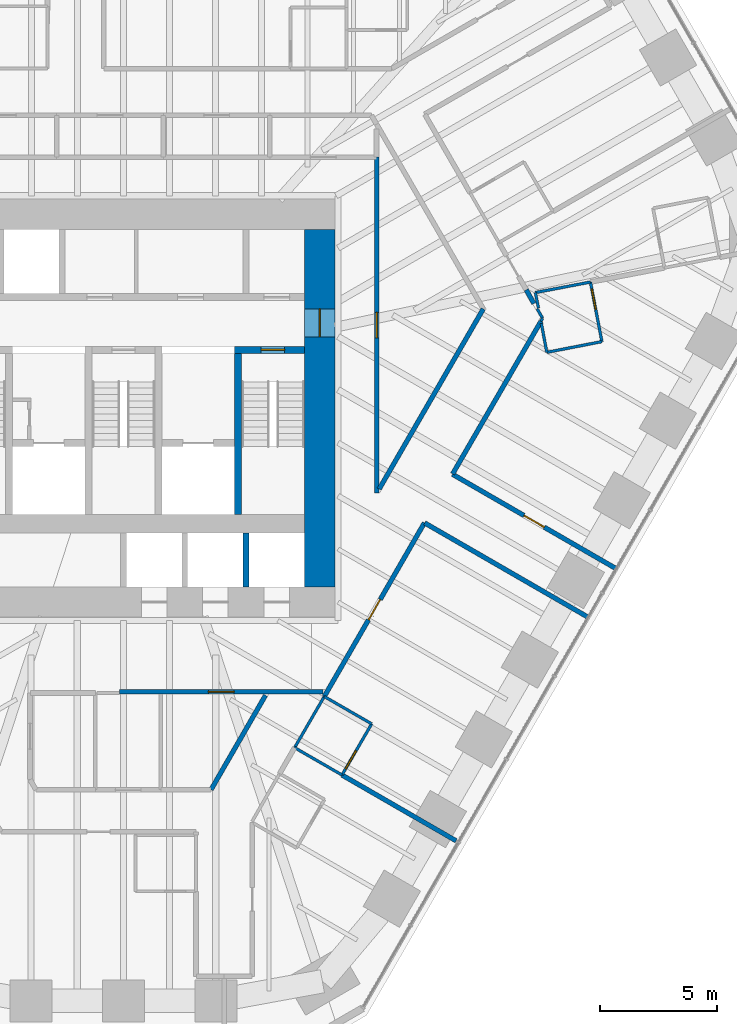
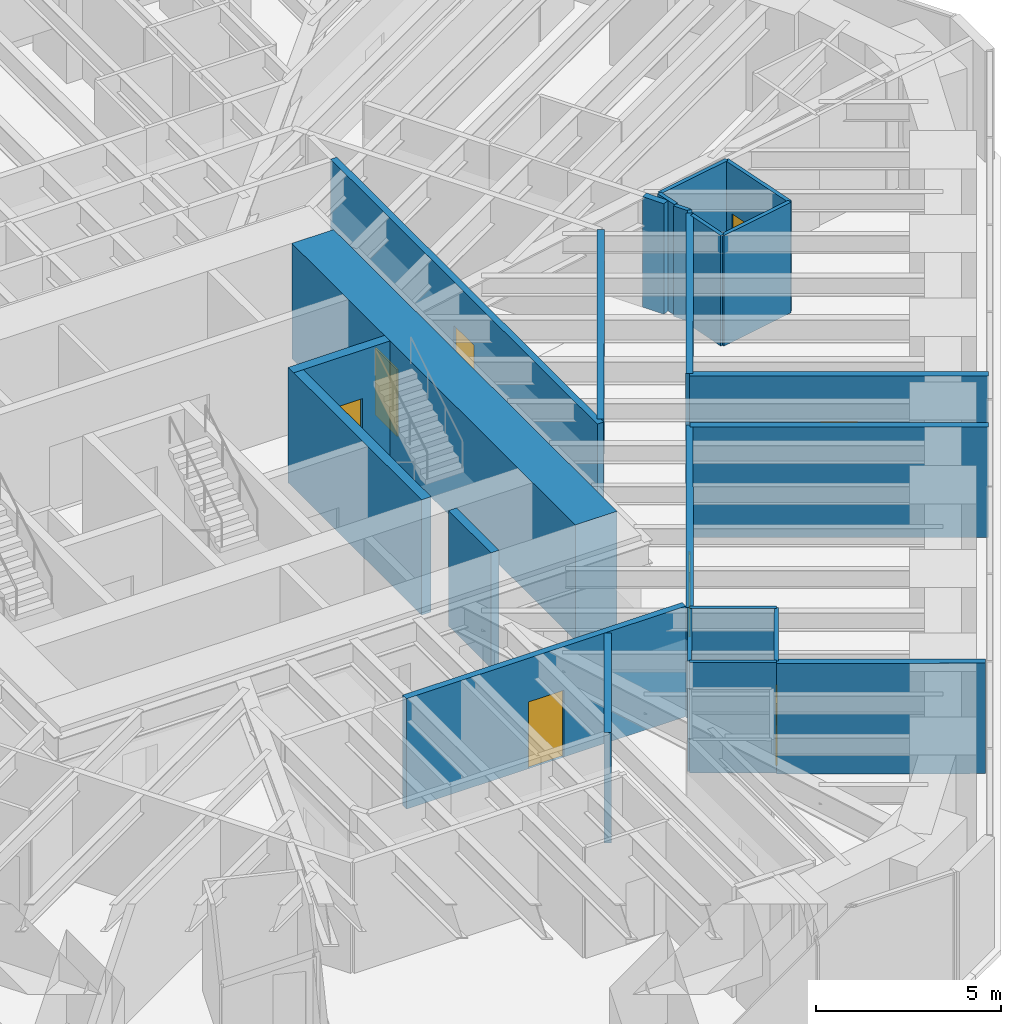
# One storey, part 13 of 17: 25 walls, 8 doors, 8 openings.
"""IFC4 building model written with IfcOpenShell, lengths in metres."""

from ifc_helpers import new_model, si_unit, direction, frame, frame_2d, origin, place, context, subcontext, project, spatial, rectangle, extrude, material, layer, layer_set, type_object, element, fill, save


model = new_model("IFC4")

# Units and contexts
model_context = context("Model", 3, precision=1e-05, world=origin(), true_north=direction((0.0, 1.0)))
body_context = subcontext(model_context, "Body", "Model", "MODEL_VIEW")
ifc_project = project(units=[si_unit("LENGTHUNIT", "METRE"), si_unit("AREAUNIT", "SQUARE_METRE"), si_unit("VOLUMEUNIT", "CUBIC_METRE"), si_unit("PLANEANGLEUNIT", "RADIAN"), si_unit("MASSUNIT", "GRAM", prefix="KILO")], contexts=[model_context])

# Site, building, storey
site_placement = place(None, origin())
site = spatial("IfcSite", under=ifc_project, at=site_placement, CompositionType="ELEMENT")
building_placement = place(site_placement, origin())
building = spatial("IfcBuilding", under=site, at=building_placement, Name="Sandreach Pilgrim Tower", CompositionType="ELEMENT")
storey_placement = place(building_placement, frame((0.0, 0.0, 146.199951171875)))
storey = spatial("IfcBuildingStorey", under=building, at=storey_placement, Name="L36", CompositionType="ELEMENT", Elevation=146.199951171875)

# Walls
ifc_material_1 = material(Name="Moisture-resistant gypsum board on steel studs", Category="steel")
ifc_layer_1 = layer(ifc_material_1, 0.1201171875)
ifc_layer_set_1 = layer_set([ifc_layer_1], Name="Bathroom partition 120")
wall_type_1 = type_object("IfcWallType", Name="Bathroom partition 120", PredefinedType="PARTITIONING", material=ifc_layer_set_1)
wall_1_placement = place(storey_placement, frame((7.330078125, -16.090087890625, 0.0), z_axis=(0.0, 0.0, 1.0), x_axis=(0.501632941931, 0.865080569409, 0.0)))
element("IfcWall", 1, at=wall_1_placement, inside=storey, type_object=wall_type_1, Name="Bathroom partition L36-101", PredefinedType="PARTITIONING", context=body_context, shape_type="SweptSolid", body=[
    extrude(rectangle(XDim=2.53173828125, YDim=0.1201171875, at=frame_2d((1.265869140625, 0.0))), origin(), (0.0, 0.0, 1.0), 3.64013671875),
])
wall_2_placement = place(storey_placement, frame((7.330078125, -16.090087890625, 0.0), z_axis=(0.0, 0.0, 1.0), x_axis=(0.866202934772, -0.499692381163, 0.0)))
element("IfcWall", 2, at=wall_2_placement, inside=storey, type_object=wall_type_1, Name="Bathroom partition L36-102", PredefinedType="PARTITIONING", context=body_context, shape_type="SweptSolid", body=[
    extrude(rectangle(XDim=2.3427734375, YDim=0.1201171875, at=frame_2d((1.17138671875, 0.0))), origin(), (0.0, 0.0, 1.0), 3.64013671875),
])

# Wall, opening, door
wall_3_placement = place(storey_placement, frame((9.360107421875, -17.260009765625, 0.0), z_axis=(0.0, 0.0, 1.0), x_axis=(0.501602618681, 0.865098152196, 0.0)))
wall_3 = element("IfcWall", 3, at=wall_3_placement, inside=storey, type_object=wall_type_1, Name="Bathroom partition L36-108", PredefinedType="PARTITIONING", context=body_context, shape_type="SweptSolid", body=[
    extrude(rectangle(XDim=2.531494140625, YDim=0.1201171875, at=frame_2d((1.265625, 0.0))), origin(), (0.0, 0.0, 1.0), 3.64013671875),
])
opening_1_placement = place(wall_3_placement, frame((0.300048828125, 0.0, 0.0)))
opening_1 = element("IfcOpeningElement", 4, at=opening_1_placement, cuts=wall_3, Name="Opening D09-08B", PredefinedType="OPENING", context=body_context, shape_type="SweptSolid", body=[
    extrude(rectangle(XDim=0.89990234375, YDim=2.030029296875, at=frame_2d((0.449951171875, 1.01513671875))), frame((0.0, 0.06005859375, 0.0), z_axis=(0.0, -1.0, 0.0), x_axis=(1.0, 0.0, 0.0)), (0.0, 0.0, 1.0), 0.1201171875),
])
ifc_material_2 = material(Name="Timber door, steel frame", Category="steel")
door_type_1 = type_object("IfcDoorType", Name="Bathroom door", OperationType="SINGLE_SWING_LEFT", PredefinedType="DOOR", material=ifc_material_2)
door_1_placement = place(opening_1_placement, origin())
door_1 = element("IfcDoor", 5, at=door_1_placement, inside=storey, type_object=door_type_1, Name="Door 3608B", OperationType="SINGLE_SWING_LEFT", OverallHeight=2.030029296875, OverallWidth=0.89990234375, PredefinedType="DOOR", context=body_context, shape_type="SweptSolid", body=[
    extrude(rectangle(XDim=0.89990234375, YDim=2.030029296875, at=frame_2d((0.449951171875, 1.01513671875))), frame((0.0, 0.02490234375, 0.0), z_axis=(0.0, -1.0, 0.0), x_axis=(1.0, 0.0, 0.0)), (0.0, 0.0, 1.0), 0.050048828125),
])
fill(opening_1, door_1)

# Walls
wall_4_placement = place(storey_placement, frame((10.6298828125, -15.070068359375, 0.0), z_axis=(0.0, 0.0, 1.0), x_axis=(-0.866345142729, 0.499445786517, 0.0)))
element("IfcWall", 6, at=wall_4_placement, inside=storey, type_object=wall_type_1, Name="Bathroom partition L36-117", PredefinedType="PARTITIONING", context=body_context, shape_type="SweptSolid", body=[
    extrude(rectangle(XDim=2.343017578125, YDim=0.1201171875, at=frame_2d((1.17138671875, 0.0))), origin(), (0.0, 0.0, 1.0), 3.64013671875),
])
wall_5_placement = place(storey_placement, frame((17.639892578125, 3.39990234375, 0.0), z_axis=(0.0, 0.0, 1.0), x_axis=(0.982288725898, 0.187373581313, 0.0)))
element("IfcWall", 7, at=wall_5_placement, inside=storey, type_object=wall_type_1, Name="Bathroom partition L36-135", PredefinedType="PARTITIONING", context=body_context, shape_type="SweptSolid", body=[
    extrude(rectangle(XDim=2.402587890625, YDim=0.1201171875, at=frame_2d((1.201171875, 0.0))), origin(), (0.0, 0.0, 1.0), 3.64013671875),
])
wall_6_placement = place(storey_placement, frame((17.719970703125, 2.699951171875, 0.0), z_axis=(0.0, 0.0, 1.0), x_axis=(0.498530782172, -0.866871997025, 0.0)))
element("IfcWall", 8, at=wall_6_placement, inside=storey, type_object=wall_type_1, Name="Bathroom partition L36-136", PredefinedType="PARTITIONING", context=body_context, shape_type="SweptSolid", body=[
    extrude(rectangle(XDim=0.46142578125, YDim=0.1201171875, at=frame_2d((0.230712890625, 0.0))), origin(), (0.0, 0.0, 1.0), 3.64013671875),
])
wall_7_placement = place(storey_placement, frame((17.773681640625, 2.7314453125, 0.0), z_axis=(0.0, 0.0, 1.0), x_axis=(-0.196253874553, 0.980553117747, 0.0)))
element("IfcWall", 9, at=wall_7_placement, inside=storey, type_object=wall_type_1, Name="Bathroom partition L36-137", PredefinedType="PARTITIONING", context=body_context, shape_type="SweptSolid", body=[
    extrude(rectangle(XDim=0.681640625, YDim=0.1201171875, at=frame_2d((0.3408203125, 0.0))), origin(), (0.0, 0.0, 1.0), 3.64013671875),
])
wall_8_placement = place(storey_placement, frame((17.8798828125, 2.169921875, 0.0), z_axis=(0.0, 0.0, 1.0), x_axis=(0.474099823035, 0.880471099922, 0.0)))
element("IfcWall", 10, at=wall_8_placement, inside=storey, type_object=wall_type_1, Name="Bathroom partition L36-138", PredefinedType="PARTITIONING", context=body_context, shape_type="SweptSolid", body=[
    extrude(rectangle(XDim=0.147705078125, YDim=0.1201171875, at=frame_2d((0.07373046875, 0.0))), origin(), (0.0, 0.0, 1.0), 3.64013671875),
])
wall_9_placement = place(storey_placement, frame((17.896728515625, 2.08154296875, 0.0), z_axis=(0.0, 0.0, 1.0), x_axis=(0.184580266957, -0.982817442382, 0.0)))
element("IfcWall", 11, at=wall_9_placement, inside=storey, type_object=wall_type_1, Name="Bathroom partition L36-139", PredefinedType="PARTITIONING", context=body_context, shape_type="SweptSolid", body=[
    extrude(rectangle(XDim=1.26318359375, YDim=0.1201171875, at=frame_2d((0.631591796875, 0.0))), origin(), (0.0, 0.0, 1.0), 3.64013671875),
])
wall_10_placement = place(storey_placement, frame((18.1298828125, 0.840087890625, 0.0), z_axis=(0.0, 0.0, 1.0), x_axis=(0.981533392326, 0.191290877329, 0.0)))
element("IfcWall", 12, at=wall_10_placement, inside=storey, type_object=wall_type_1, Name="Bathroom partition L36-140", PredefinedType="PARTITIONING", context=body_context, shape_type="SweptSolid", body=[
    extrude(rectangle(XDim=2.404541015625, YDim=0.1201171875, at=frame_2d((1.2021484375, 0.0))), origin(), (0.0, 0.0, 1.0), 3.64013671875),
])

# Wall, opening, door
wall_11_placement = place(storey_placement, frame((20.489990234375, 1.300048828125, 0.0), z_axis=(0.0, 0.0, 1.0), x_axis=(-0.188697442844, 0.982035271802, 0.0)))
wall_11 = element("IfcWall", 13, at=wall_11_placement, inside=storey, type_object=wall_type_1, Name="Bathroom partition L36-147", PredefinedType="PARTITIONING", context=body_context, shape_type="SweptSolid", body=[
    extrude(rectangle(XDim=2.5966796875, YDim=0.1201171875, at=frame_2d((1.29833984375, 0.0))), origin(), (0.0, 0.0, 1.0), 3.64013671875),
])
opening_2_placement = place(wall_11_placement, frame((1.396728515625, 0.0, 0.0)))
opening_2 = element("IfcOpeningElement", 14, at=opening_2_placement, cuts=wall_11, Name="Opening D09-07B", PredefinedType="OPENING", context=body_context, shape_type="SweptSolid", body=[
    extrude(rectangle(XDim=0.89990234375, YDim=2.030029296875, at=frame_2d((0.449951171875, 1.01513671875))), frame((0.0, 0.06005859375, 0.0), z_axis=(0.0, -1.0, 0.0), x_axis=(1.0, 0.0, 0.0)), (0.0, 0.0, 1.0), 0.1201171875),
])
door_2_placement = place(opening_2_placement, origin())
door_2 = element("IfcDoor", 15, at=door_2_placement, inside=storey, type_object=door_type_1, Name="Door 3607B", OperationType="SINGLE_SWING_RIGHT", OverallHeight=2.030029296875, OverallWidth=0.89990234375, PredefinedType="DOOR", context=body_context, shape_type="SweptSolid", body=[
    extrude(rectangle(XDim=0.89990234375, YDim=2.030029296875, at=frame_2d((0.449951171875, 1.01513671875))), frame((0.0, 0.02490234375, 0.0), z_axis=(0.0, -1.0, 0.0), x_axis=(1.0, 0.0, 0.0)), (0.0, 0.0, 1.0), 0.050048828125),
])
fill(opening_2, door_2)

# Wall
ifc_material_3 = material(Name="Concrete 10000 psi", Category="concrete")
ifc_layer_2 = layer(ifc_material_3, 0.300048828125)
ifc_layer_set_2 = layer_set([ifc_layer_2], Name="Core inner wall 300")
wall_type_2 = type_object("IfcWallType", Name="Core inner wall 300", PredefinedType="SHEAR", material=ifc_layer_set_2)
wall_12_placement = place(storey_placement, frame((4.89990234375, -6.10009765625, 0.0), z_axis=(0.0, 0.0, 1.0), x_axis=(0.0, 1.0, 0.0)))
element("IfcWall", 16, at=wall_12_placement, inside=storey, type_object=wall_type_2, Name="Core wall I3 L36", PredefinedType="SHEAR", context=body_context, shape_type="SweptSolid", body=[
    extrude(rectangle(XDim=7.2001953125, YDim=0.300048828125, at=frame_2d((3.60009765625, 0.0))), origin(), (0.0, 0.0, 1.0), 3.800048828125),
])

# Wall, opening, door
wall_13_placement = place(storey_placement, frame((4.75, 0.949951171875, 0.0), z_axis=(0.0, 0.0, 1.0), x_axis=(1.0, 0.0, 0.0)))
wall_13 = element("IfcWall", 17, at=wall_13_placement, inside=storey, type_object=wall_type_2, Name="Core wall SN2 L36", PredefinedType="SHEAR", context=body_context, shape_type="SweptSolid", body=[
    extrude(rectangle(XDim=3.0, YDim=0.300048828125, at=frame_2d((1.5, 0.0))), origin(), (0.0, 0.0, 1.0), 3.800048828125),
])
opening_3_placement = place(wall_13_placement, frame((1.14990234375, 0.0, 0.0)))
opening_3 = element("IfcOpeningElement", 18, at=opening_3_placement, cuts=wall_13, Name="Opening D10S-ST2", PredefinedType="OPENING", context=body_context, shape_type="SweptSolid", body=[
    extrude(rectangle(XDim=1.0, YDim=2.199951171875, at=frame_2d((0.5, 1.10009765625))), frame((0.0, 0.14990234375, 0.0), z_axis=(0.0, -1.0, 0.0), x_axis=(1.0, 0.0, 0.0)), (0.0, 0.0, 1.0), 0.300048828125),
])
ifc_material_4 = material(Name="Steel door and frame", Category="steel")
door_type_2 = type_object("IfcDoorType", Name="Stair door", OperationType="SINGLE_SWING_LEFT", PredefinedType="DOOR", material=ifc_material_4)
door_3_placement = place(opening_3_placement, origin())
door_3 = element("IfcDoor", 19, at=door_3_placement, inside=storey, type_object=door_type_2, Name="Stair door ST2 L36", OperationType="SINGLE_SWING_RIGHT", OverallHeight=2.199951171875, OverallWidth=1.0, PredefinedType="DOOR", context=body_context, shape_type="SweptSolid", body=[
    extrude(rectangle(XDim=1.0, YDim=2.199951171875, at=frame_2d((0.5, 1.10009765625))), frame((0.0, 0.02490234375, 0.0), z_axis=(0.0, -1.0, 0.0), x_axis=(1.0, 0.0, 0.0)), (0.0, 0.0, 1.0), 0.050048828125),
])
fill(opening_3, door_3)

ifc_material_5 = material(Name="Concrete 10000 psi", Category="concrete")
ifc_layer_3 = layer(ifc_material_5, 1.300048828125)
ifc_layer_set_3 = layer_set([ifc_layer_3], Name="Core wall 1300")
wall_type_3 = type_object("IfcWallType", Name="Core wall 1300", PredefinedType="SHEAR", material=ifc_layer_set_3)
wall_14_placement = place(storey_placement, frame((8.39990234375, -9.199951171875, 0.0), z_axis=(0.0, 0.0, 1.0), x_axis=(0.0, 1.0, 0.0)))
wall_14 = element("IfcWall", 20, at=wall_14_placement, inside=storey, type_object=wall_type_3, Name="Core wall E L36", PredefinedType="SHEAR", context=body_context, shape_type="SweptSolid", body=[
    extrude(rectangle(XDim=15.300048828125, YDim=1.300048828125, at=frame_2d((7.64990234375, 0.0))), origin(), (0.0, 0.0, 1.0), 3.800048828125),
])
opening_4_placement = place(wall_14_placement, frame((10.699951171875, 0.0, 0.0)))
opening_4 = element("IfcOpeningElement", 21, at=opening_4_placement, cuts=wall_14, Name="Opening D12F-E", PredefinedType="OPENING", context=body_context, shape_type="SweptSolid", body=[
    extrude(rectangle(XDim=1.199951171875, YDim=2.199951171875, at=frame_2d((0.60009765625, 1.10009765625))), frame((0.0, 0.64990234375, 0.0), z_axis=(0.0, -1.0, 0.0), x_axis=(1.0, 0.0, 0.0)), (0.0, 0.0, 1.0), 1.300048828125),
])
ifc_material_6 = material(Name="Steel door and frame", Category="steel")
door_type_3 = type_object("IfcDoorType", Name="Fire lobby door", OperationType="SINGLE_SWING_LEFT", PredefinedType="DOOR", material=ifc_material_6)
door_4_placement = place(opening_4_placement, origin())
door_4 = element("IfcDoor", 22, at=door_4_placement, inside=storey, type_object=door_type_3, Name="Fire service lobby door E L36", OperationType="SINGLE_SWING_RIGHT", OverallHeight=2.199951171875, OverallWidth=1.199951171875, PredefinedType="DOOR", context=body_context, shape_type="SweptSolid", body=[
    extrude(rectangle(XDim=1.199951171875, YDim=2.199951171875, at=frame_2d((0.60009765625, 1.10009765625))), frame((0.0, 0.02490234375, 0.0), z_axis=(0.0, -1.0, 0.0), x_axis=(1.0, 0.0, 0.0)), (0.0, 0.0, 1.0), 0.050048828125),
])
fill(opening_4, door_4)

# Wall
ifc_material_7 = material(Name="Gypsum board on steel studs, two layers each side", Category="steel")
ifc_layer_4 = layer(ifc_material_7, 0.199951171875)
ifc_layer_set_4 = layer_set([ifc_layer_4], Name="Corridor wall 200")
wall_type_4 = type_object("IfcWallType", Name="Corridor wall 200", PredefinedType="PARTITIONING", material=ifc_layer_set_4)
wall_15_placement = place(storey_placement, frame((6.08251953125, -13.849609375, 0.0), z_axis=(0.0, 0.0, 1.0), x_axis=(-0.499977643516, -0.866038310922, 0.0)))
element("IfcWall", 23, at=wall_15_placement, inside=storey, type_object=wall_type_4, Name="Corridor wall L36-094", PredefinedType="PARTITIONING", context=body_context, shape_type="SweptSolid", body=[
    extrude(rectangle(XDim=4.665283203125, YDim=0.199951171875, at=frame_2d((2.33251953125, 0.0))), origin(), (0.0, 0.0, 1.0), 3.64013671875),
])

# Wall, opening, door
wall_16_placement = place(storey_placement, frame((8.545166015625, -13.699951171875, 0.0), z_axis=(0.0, 0.0, 1.0), x_axis=(-1.0, 0.0, 0.0)))
wall_16 = element("IfcWall", 24, at=wall_16_placement, inside=storey, type_object=wall_type_4, Name="Corridor wall L36-104", PredefinedType="PARTITIONING", context=body_context, shape_type="SweptSolid", body=[
    extrude(rectangle(XDim=8.715087890625, YDim=0.199951171875, at=frame_2d((4.357421875, 0.0))), origin(), (0.0, 0.0, 1.0), 3.64013671875),
])
opening_5_placement = place(wall_16_placement, frame((3.8076171875, 0.0, 0.0)))
opening_5 = element("IfcOpeningElement", 25, at=opening_5_placement, cuts=wall_16, Name="Opening D11H-S4", PredefinedType="OPENING", context=body_context, shape_type="SweptSolid", body=[
    extrude(rectangle(XDim=1.10009765625, YDim=2.199951171875, at=frame_2d((0.550048828125, 1.10009765625))), frame((0.0, 0.10009765625, 0.0), z_axis=(0.0, -1.0, 0.0), x_axis=(1.0, 0.0, 0.0)), (0.0, 0.0, 1.0), 0.199951171875),
])
ifc_material_8 = material(Name="Steel door and frame", Category="steel")
door_type_4 = type_object("IfcDoorType", Name="Back of house door", OperationType="SINGLE_SWING_LEFT", PredefinedType="DOOR", material=ifc_material_8)
door_5_placement = place(opening_5_placement, origin())
door_5 = element("IfcDoor", 26, at=door_5_placement, inside=storey, type_object=door_type_4, Name="Door 36S4", OperationType="SINGLE_SWING_LEFT", OverallHeight=2.199951171875, OverallWidth=1.10009765625, PredefinedType="DOOR", context=body_context, shape_type="SweptSolid", body=[
    extrude(rectangle(XDim=1.10009765625, YDim=2.199951171875, at=frame_2d((0.550048828125, 1.10009765625))), frame((0.0, 0.02490234375, 0.0), z_axis=(0.0, -1.0, 0.0), x_axis=(1.0, 0.0, 0.0)), (0.0, 0.0, 1.0), 0.050048828125),
])
fill(opening_5, door_5)

wall_17_placement = place(storey_placement, frame((8.60009765625, -13.89990234375, 0.0), z_axis=(0.0, 0.0, 1.0), x_axis=(0.499505868716, 0.866310502717, 0.0)))
wall_17 = element("IfcWall", 27, at=wall_17_placement, inside=storey, type_object=wall_type_4, Name="Corridor wall L36-105", PredefinedType="PARTITIONING", context=body_context, shape_type="SweptSolid", body=[
    extrude(rectangle(XDim=8.588134765625, YDim=0.199951171875, at=frame_2d((4.2939453125, 0.0))), origin(), (0.0, 0.0, 1.0), 3.64013671875),
])
opening_6_placement = place(wall_17_placement, frame((3.794189453125, 0.0, 0.0)))
opening_6 = element("IfcOpeningElement", 28, at=opening_6_placement, cuts=wall_17, Name="Opening D10-08", PredefinedType="OPENING", context=body_context, shape_type="SweptSolid", body=[
    extrude(rectangle(XDim=1.0, YDim=2.1298828125, at=frame_2d((0.5, 1.06494140625))), frame((0.0, 0.10009765625, 0.0), z_axis=(0.0, -1.0, 0.0), x_axis=(1.0, 0.0, 0.0)), (0.0, 0.0, 1.0), 0.199951171875),
])
ifc_material_9 = material(Name="Steel door and frame", Category="steel")
door_type_5 = type_object("IfcDoorType", Name="Guest room entry door", OperationType="SINGLE_SWING_LEFT", PredefinedType="DOOR", material=ifc_material_9)
door_6_placement = place(opening_6_placement, origin())
door_6 = element("IfcDoor", 29, at=door_6_placement, inside=storey, type_object=door_type_5, Name="Door 3608", OperationType="SINGLE_SWING_LEFT", OverallHeight=2.1298828125, OverallWidth=1.0, PredefinedType="DOOR", context=body_context, shape_type="SweptSolid", body=[
    extrude(rectangle(XDim=1.0, YDim=2.1298828125, at=frame_2d((0.5, 1.06494140625))), frame((0.0, 0.02490234375, 0.0), z_axis=(0.0, -1.0, 0.0), x_axis=(1.0, 0.0, 0.0)), (0.0, 0.0, 1.0), 0.050048828125),
])
fill(opening_6, door_6)

wall_18_placement = place(storey_placement, frame((10.85009765625, -5.18994140625, 0.0), z_axis=(0.0, 0.0, 1.0), x_axis=(0.0, 1.0, 0.0)))
wall_18 = element("IfcWall", 30, at=wall_18_placement, inside=storey, type_object=wall_type_4, Name="Corridor wall L36-121", PredefinedType="PARTITIONING", context=body_context, shape_type="SweptSolid", body=[
    extrude(rectangle(XDim=14.389892578125, YDim=0.199951171875, at=frame_2d((7.19482421875, 0.0))), origin(), (0.0, 0.0, 1.0), 3.64013671875),
])
opening_7_placement = place(wall_18_placement, frame((6.64501953125, 0.0, 0.0)))
opening_7 = element("IfcOpeningElement", 31, at=opening_7_placement, cuts=wall_18, Name="Opening D11H-M07", PredefinedType="OPENING", context=body_context, shape_type="SweptSolid", body=[
    extrude(rectangle(XDim=1.10009765625, YDim=2.199951171875, at=frame_2d((0.550048828125, 1.10009765625))), frame((0.0, 0.10009765625, 0.0), z_axis=(0.0, -1.0, 0.0), x_axis=(1.0, 0.0, 0.0)), (0.0, 0.0, 1.0), 0.199951171875),
])
door_7_placement = place(opening_7_placement, origin())
door_7 = element("IfcDoor", 32, at=door_7_placement, inside=storey, type_object=door_type_4, Name="Door 36M07", OperationType="SINGLE_SWING_LEFT", OverallHeight=2.199951171875, OverallWidth=1.10009765625, PredefinedType="DOOR", context=body_context, shape_type="SweptSolid", body=[
    extrude(rectangle(XDim=1.10009765625, YDim=2.199951171875, at=frame_2d((0.550048828125, 1.10009765625))), frame((0.0, 0.02490234375, 0.0), z_axis=(0.0, -1.0, 0.0), x_axis=(1.0, 0.0, 0.0)), (0.0, 0.0, 1.0), 0.050048828125),
])
fill(opening_7, door_7)

# Walls
wall_19_placement = place(storey_placement, frame((12.903076171875, -6.467529296875, 0.0), z_axis=(0.0, 0.0, 1.0), x_axis=(0.866179534239, -0.499732943147, 0.0)))
element("IfcWall", 33, at=wall_19_placement, inside=storey, type_object=wall_type_4, Name="Corridor wall L36-126", PredefinedType="PARTITIONING", context=body_context, shape_type="SweptSolid", body=[
    extrude(rectangle(XDim=8.0595703125, YDim=0.199951171875, at=frame_2d((4.02978515625, 0.0))), origin(), (0.0, 0.0, 1.0), 3.64013671875),
])
wall_20_placement = place(storey_placement, frame((14.097412109375, -4.366943359375, 0.0), z_axis=(0.0, 0.0, 1.0), x_axis=(0.500859137679, 0.865528811885, 0.0)))
element("IfcWall", 34, at=wall_20_placement, inside=storey, type_object=wall_type_4, Name="Corridor wall L36-128", PredefinedType="PARTITIONING", context=body_context, shape_type="SweptSolid", body=[
    extrude(rectangle(XDim=7.552490234375, YDim=0.199951171875, at=frame_2d((3.7763671875, 0.0))), origin(), (0.0, 0.0, 1.0), 3.64013671875),
])
wall_21_placement = place(storey_placement, frame((15.409912109375, 2.699951171875, 0.0), z_axis=(0.0, 0.0, 1.0), x_axis=(-0.500372062762, -0.865810486658, 0.0)))
element("IfcWall", 35, at=wall_21_placement, inside=storey, type_object=wall_type_4, Name="Corridor wall L36-130", PredefinedType="PARTITIONING", context=body_context, shape_type="SweptSolid", body=[
    extrude(rectangle(XDim=8.912841796875, YDim=0.199951171875, at=frame_2d((4.45654296875, 0.0))), origin(), (0.0, 0.0, 1.0), 3.64013671875),
])
wall_22_placement = place(storey_placement, frame((17.25, 3.52001953125, 0.0), z_axis=(0.0, 0.0, 1.0), x_axis=(0.485489114803, -0.874242711956, 0.0)))
element("IfcWall", 36, at=wall_22_placement, inside=storey, type_object=wall_type_4, Name="Corridor wall L36-134", PredefinedType="PARTITIONING", context=body_context, shape_type="SweptSolid", body=[
    extrude(rectangle(XDim=0.673828125, YDim=0.199951171875, at=frame_2d((0.3369140625, 0.0))), origin(), (0.0, 0.0, 1.0), 3.64013671875),
])

# Wall, opening, door
wall_23_placement = place(storey_placement, frame((21.083984375, -8.4150390625, 0.0), z_axis=(0.0, 0.0, 1.0), x_axis=(-0.866174008169, 0.499742521277, 0.0)))
wall_23 = element("IfcWall", 37, at=wall_23_placement, inside=storey, type_object=wall_type_4, Name="Corridor wall L36-148", PredefinedType="PARTITIONING", context=body_context, shape_type="SweptSolid", body=[
    extrude(rectangle(XDim=8.074462890625, YDim=0.199951171875, at=frame_2d((4.037109375, 0.0))), origin(), (0.0, 0.0, 1.0), 3.64013671875),
])
opening_8_placement = place(wall_23_placement, frame((3.537353515625, 0.0, 0.0)))
opening_8 = element("IfcOpeningElement", 38, at=opening_8_placement, cuts=wall_23, Name="Opening D10-07", PredefinedType="OPENING", context=body_context, shape_type="SweptSolid", body=[
    extrude(rectangle(XDim=1.0, YDim=2.1298828125, at=frame_2d((0.5, 1.06494140625))), frame((0.0, 0.10009765625, 0.0), z_axis=(0.0, -1.0, 0.0), x_axis=(1.0, 0.0, 0.0)), (0.0, 0.0, 1.0), 0.199951171875),
])
door_8_placement = place(opening_8_placement, origin())
door_8 = element("IfcDoor", 39, at=door_8_placement, inside=storey, type_object=door_type_5, Name="Door 3607", OperationType="SINGLE_SWING_LEFT", OverallHeight=2.1298828125, OverallWidth=1.0, PredefinedType="DOOR", context=body_context, shape_type="SweptSolid", body=[
    extrude(rectangle(XDim=1.0, YDim=2.1298828125, at=frame_2d((0.5, 1.06494140625))), frame((0.0, 0.02490234375, 0.0), z_axis=(0.0, -1.0, 0.0), x_axis=(1.0, 0.0, 0.0)), (0.0, 0.0, 1.0), 0.050048828125),
])
fill(opening_8, door_8)

# Walls
ifc_material_10 = material(Name="Double steel stud acoustic wall, gypsum board", Category="steel")
ifc_layer_5 = layer(ifc_material_10, 0.199951171875)
ifc_layer_set_5 = layer_set([ifc_layer_5], Name="Party wall 200")
wall_type_5 = type_object("IfcWallType", Name="Party wall 200", PredefinedType="PARTITIONING", material=ifc_layer_set_5)
wall_24_placement = place(storey_placement, frame((9.359375, -17.2607421875, 0.0), z_axis=(0.0, 0.0, 1.0), x_axis=(0.866179822479, -0.499732443544, 0.0)))
element("IfcWall", 40, at=wall_24_placement, inside=storey, type_object=wall_type_5, Name="Party wall L36-107", PredefinedType="PARTITIONING", context=body_context, shape_type="SweptSolid", body=[
    extrude(rectangle(XDim=5.6416015625, YDim=0.199951171875, at=frame_2d((2.82080078125, 0.0))), origin(), (0.0, 0.0, 1.0), 3.64013671875),
])
ifc_material_11 = material(Name="Gypsum shaft wall on steel studs, two layers of shaft liner board", Category="steel")
ifc_layer_6 = layer(ifc_material_11, 0.25)
ifc_layer_set_6 = layer_set([ifc_layer_6], Name="Shaft partition 250")
wall_type_6 = type_object("IfcWallType", Name="Shaft partition 250", PredefinedType="PARTITIONING", material=ifc_layer_set_6)
wall_25_placement = place(storey_placement, frame((5.25, -9.199951171875, 0.0), z_axis=(0.0, 0.0, 1.0), x_axis=(0.0, 1.0, 0.0)))
element("IfcWall", 41, at=wall_25_placement, inside=storey, type_object=wall_type_6, Name="Shaft partition XS4 L36", PredefinedType="PARTITIONING", context=body_context, shape_type="SweptSolid", body=[
    extrude(rectangle(XDim=2.300048828125, YDim=0.25, at=frame_2d((1.14990234375, 0.0))), origin(), (0.0, 0.0, 1.0), 3.800048828125),
])

save(model, "model.ifc")
